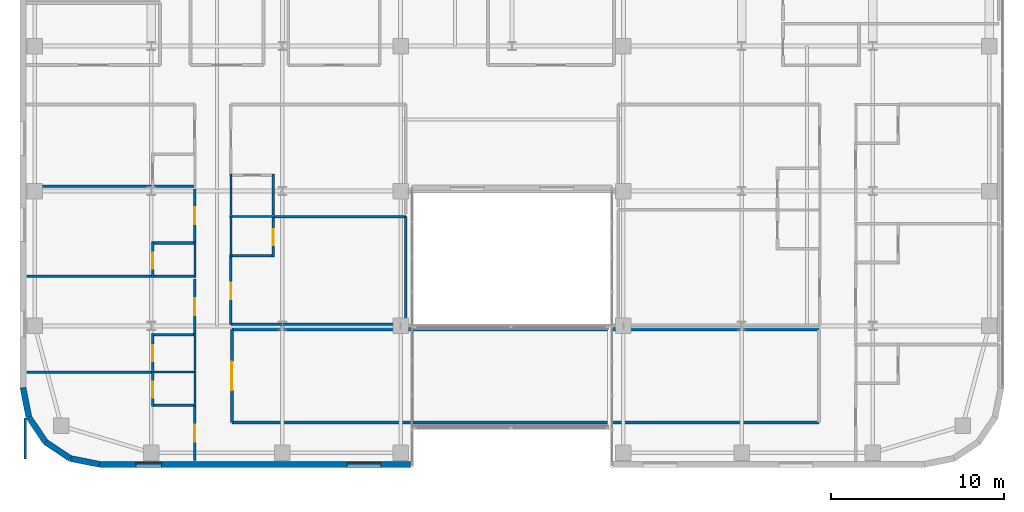
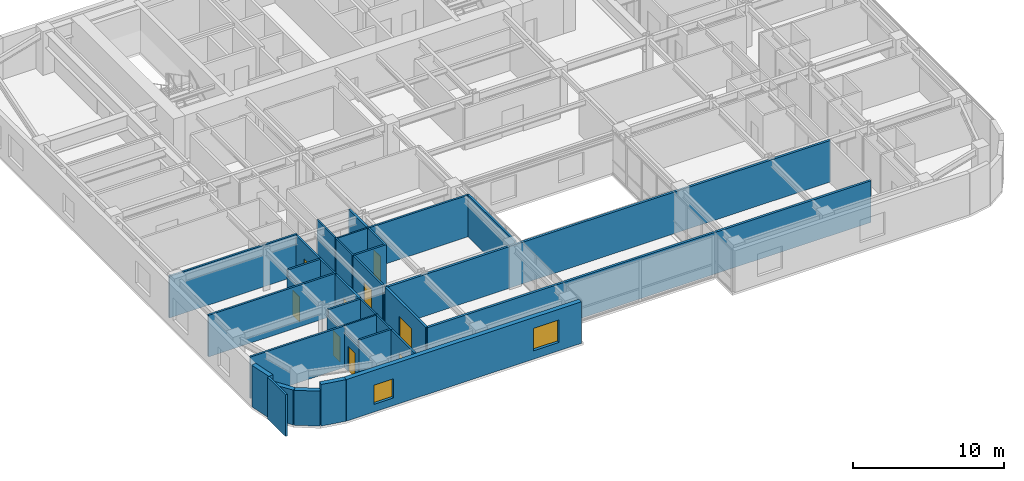
# One storey, part 18 of 25: 35 walls, 9 doors, 2 windows, 11 openings.
"""IFC4 building model written with IfcOpenShell, lengths in metres."""

from ifc_helpers import new_model, si_unit, direction, frame, frame_2d, origin, place, context, subcontext, project, spatial, rectangle, extrude, source, transform, mapped, material, layer, layer_set, type_object, type_shapes, element, fill, save


model = new_model("IFC4")

# Units and contexts
model_context = context("Model", 3, precision=1e-05, world=origin(), true_north=direction((0.0, 1.0)))
body_context = subcontext(model_context, "Body", "Model", "MODEL_VIEW")
ifc_project = project(units=[si_unit("LENGTHUNIT", "METRE"), si_unit("AREAUNIT", "SQUARE_METRE"), si_unit("VOLUMEUNIT", "CUBIC_METRE"), si_unit("PLANEANGLEUNIT", "RADIAN"), si_unit("MASSUNIT", "GRAM", prefix="KILO")], contexts=[model_context])

# Site, building, storey
site_placement = place(None, origin())
site = spatial("IfcSite", under=ifc_project, at=site_placement, CompositionType="ELEMENT")
building_placement = place(site_placement, origin())
building = spatial("IfcBuilding", under=site, at=building_placement, Name="Tolvann Quenvar Hotel", CompositionType="ELEMENT")
storey_placement = place(building_placement, frame((0.0, 0.0, 78.14990234375)))
storey = spatial("IfcBuildingStorey", under=building, at=storey_placement, Name="L19", CompositionType="ELEMENT", Elevation=78.14990234375)

# Walls
ifc_material_1 = material(Name="Kiln-fired red and buff architectural clay brickwork and terracotta masonry", Category="masonry")
ifc_layer_1 = layer(ifc_material_1, 0.35009765625)
ifc_layer_set_1 = layer_set([ifc_layer_1], Name="Kiln-fired red and buff architectural clay brickwork and terracotta masonry")
wall_type_1 = type_object("IfcWallType", Name="WALL_EXT_BRICK_350", PredefinedType="SOLIDWALL", material=ifc_layer_set_1)
for number, where, z_axis, x_axis, name in (
    (1, (0.514892578125, 2.907958984375, 0.0), (0.0, 0.0, 1.0), (0.55554893791, -0.831483840845, 0.0), "Exterior Chicago Brick Wall L19-E01"),
    (2, (1.473388671875, 1.473388671875, 0.0), (0.0, 0.0, 1.0), (0.831483840845, -0.55554893791, 0.0), "Exterior Chicago Brick Wall L19-E02"),
):
    element("IfcWall", number, at=place(storey_placement, frame(where, z_axis=z_axis, x_axis=x_axis)), inside=storey, type_object=wall_type_1, Name=name, PredefinedType="SOLIDWALL", context=body_context, shape_type="SweptSolid", body=[
        extrude(rectangle(XDim=1.725341796875, YDim=0.35009765625, at=frame_2d((0.86279296875, 0.0))), origin(), (0.0, 0.0, 1.0), 2.83203125),
    ])
wall_1_placement = place(storey_placement, frame((2.907958984375, 0.514892578125, 0.0), z_axis=(0.0, 0.0, 1.0), x_axis=(0.980800971659, -0.195011420161, 0.0)))
element("IfcWall", 3, at=wall_1_placement, inside=storey, type_object=wall_type_1, Name="Exterior Chicago Brick Wall L19-E03", PredefinedType="SOLIDWALL", context=body_context, shape_type="SweptSolid", body=[
    extrude(rectangle(XDim=1.74267578125, YDim=0.35009765625, at=frame_2d((0.871337890625, 0.0))), origin(), (0.0, 0.0, 1.0), 3.3701171875),
])

# Wall, openings, windows
wall_2_placement = place(storey_placement, frame((4.6171875, 0.175048828125, 0.0), z_axis=(0.0, 0.0, 1.0), x_axis=(1.0, 0.0, 0.0)))
wall_2 = element("IfcWall", 4, at=wall_2_placement, inside=storey, type_object=wall_type_1, Name="Exterior Chicago Brick Wall L19-E04", PredefinedType="SOLIDWALL", context=body_context, shape_type="SweptSolid", body=[
    extrude(rectangle(XDim=18.0078125, YDim=0.35009765625, at=frame_2d((9.00390625, 0.0))), origin(), (0.0, 0.0, 1.0), 3.3701171875),
])
opening_1_placement = place(wall_2_placement, frame((14.33203125, 0.0, 0.679931640625)))
opening_1 = element("IfcOpeningElement", 5, at=opening_1_placement, cuts=wall_2, Name="Opening W-10", PredefinedType="OPENING", context=body_context, shape_type="SweptSolid", body=[
    extrude(rectangle(XDim=1.949951171875, YDim=1.820068359375, at=frame_2d((0.97509765625, 0.91015625))), frame((0.0, 0.18505859375, 0.0), z_axis=(0.0, -1.0, 0.0), x_axis=(1.0, 0.0, 0.0)), (0.0, 0.0, 1.0), 0.3701171875),
])
opening_2_placement = place(wall_2_placement, frame((2.091064453125, 0.0, 0.6201171875)))
opening_2 = element("IfcOpeningElement", 6, at=opening_2_placement, cuts=wall_2, Name="Opening W-08", PredefinedType="OPENING", context=body_context, shape_type="SweptSolid", body=[
    extrude(rectangle(XDim=1.5, YDim=1.550048828125, at=frame_2d((0.75, 0.77490234375))), frame((0.0, 0.18505859375, 0.0), z_axis=(0.0, -1.0, 0.0), x_axis=(1.0, 0.0, 0.0)), (0.0, 0.0, 1.0), 0.3701171875),
])
ifc_material_2 = material(Name="Thermally broken bronze-anodised aluminium frame with double low-E glazing", Category="aluminium")
window_type_1 = type_object("IfcWindowType", Name="WIN_COR_1500x2050", PartitioningType="SINGLE_PANEL", PredefinedType="WINDOW", material=ifc_material_2)
shared_shape_1 = source(origin(), body_context, "Body", "SweptSolid", [
    extrude(rectangle(XDim=1.5, YDim=1.550048828125, at=frame_2d((0.75, 0.77490234375))), frame((0.0, 0.090087890625, 0.0), z_axis=(0.0, -1.0, 0.0), x_axis=(1.0, 0.0, 0.0)), (0.0, 0.0, 1.0), 0.06005859375),
])
type_shapes(window_type_1, [shared_shape_1])
window_1_placement = place(opening_2_placement, origin())
window_1 = element("IfcWindow", 7, at=window_1_placement, inside=storey, type_object=window_type_1, Name="Chicago Window W-08 (EW-L19-E04-WD02)", OverallHeight=1.550048828125, OverallWidth=1.5, PartitioningType="SINGLE_PANEL", PredefinedType="WINDOW", context=body_context, shape_type="MappedRepresentation", body=[
    mapped(shared_shape_1, transform((0.0, 0.0, 0.0), x_axis=(1.0, 0.0, 0.0), y_axis=(0.0, 1.0, 0.0), z_axis=(0.0, 0.0, 1.0), scale=1.0)),
])
fill(opening_2, window_1)
window_type_2 = type_object("IfcWindowType", Name="WIN_CLB_1950x1850", PartitioningType="DOUBLE_PANEL_VERTICAL", PredefinedType="WINDOW", material=ifc_material_2)
shared_shape_2 = source(origin(), body_context, "Body", "SweptSolid", [
    extrude(rectangle(XDim=1.949951171875, YDim=1.820068359375, at=frame_2d((0.97509765625, 0.91015625))), frame((0.0, 0.090087890625, 0.0), z_axis=(0.0, -1.0, 0.0), x_axis=(1.0, 0.0, 0.0)), (0.0, 0.0, 1.0), 0.06005859375),
])
type_shapes(window_type_2, [shared_shape_2])
window_2_placement = place(opening_1_placement, origin())
window_2 = element("IfcWindow", 8, at=window_2_placement, inside=storey, type_object=window_type_2, Name="Chicago Window W-10 (EW-L19-E04-W01)", OverallHeight=1.820068359375, OverallWidth=1.949951171875, PartitioningType="DOUBLE_PANEL_VERTICAL", PredefinedType="WINDOW", context=body_context, shape_type="MappedRepresentation", body=[
    mapped(shared_shape_2, transform((0.0, 0.0, 0.0), x_axis=(1.0, 0.0, 0.0), y_axis=(0.0, 1.0, 0.0), z_axis=(0.0, 0.0, 1.0), scale=1.0)),
])
fill(opening_1, window_2)

# Walls
wall_3_placement = place(storey_placement, frame((0.175048828125, 4.6171875, 0.0), z_axis=(0.0, 0.0, 1.0), x_axis=(0.195011420161, -0.980800971659, 0.0)))
element("IfcWall", 9, at=wall_3_placement, inside=storey, type_object=wall_type_1, Name="Exterior Chicago Brick Wall L19-E24", PredefinedType="SOLIDWALL", context=body_context, shape_type="SweptSolid", body=[
    extrude(rectangle(XDim=1.74267578125, YDim=0.35009765625, at=frame_2d((0.871337890625, 0.0))), origin(), (0.0, 0.0, 1.0), 3.3701171875),
])
ifc_material_3 = material(Name="Acoustic twin-stud fire-rated gypsum plasterboard partition")
ifc_layer_2 = layer(ifc_material_3, 0.179931640625)
ifc_layer_set_2 = layer_set([ifc_layer_2], Name="Acoustic twin-stud fire-rated gypsum plasterboard partition")
wall_type_2 = type_object("IfcWallType", Name="WALL_PART_ACOUSTIC_180", PredefinedType="PARTITIONING", material=ifc_layer_set_2)
for number, where, z_axis, x_axis, name in (
    (10, (12.27001953125, 2.60009765625, 0.0), (0.0, 0.0, 1.0), (1.0, 0.0, 0.0), "Interior Partition PT-SPC-L19-BRG-S"),
    (11, (12.27001953125, 8.0, 0.0), (0.0, 0.0, 1.0), (1.0, 0.0, 0.0), "Interior Partition PT-SPC-L19-BRG-N"),
):
    element("IfcWall", number, at=place(storey_placement, frame(where, z_axis=z_axis, x_axis=x_axis)), inside=storey, type_object=wall_type_2, Name=name, PredefinedType="PARTITIONING", context=body_context, shape_type="SweptSolid", body=[
        extrude(rectangle(XDim=34.010009765625, YDim=0.179931640625, at=frame_2d((17.0048828125, 0.0))), origin(), (0.0, 0.0, 1.0), 3.3701171875),
    ])

# Wall, opening, door
wall_4_placement = place(storey_placement, frame((12.27001953125, 2.60009765625, 0.0), z_axis=(0.0, 0.0, 1.0), x_axis=(0.0, 1.0, 0.0)))
wall_4 = element("IfcWall", 12, at=wall_4_placement, inside=storey, type_object=wall_type_2, Name="Interior Partition PT-SPC-L19-BRG-W", PredefinedType="PARTITIONING", context=body_context, shape_type="SweptSolid", body=[
    extrude(rectangle(XDim=5.39990234375, YDim=0.179931640625, at=frame_2d((2.699951171875, 0.0))), origin(), (0.0, 0.0, 1.0), 3.3701171875),
])
opening_3_placement = place(wall_4_placement, frame((1.875, 0.0, 0.0)))
opening_3 = element("IfcOpeningElement", 13, at=opening_3_placement, cuts=wall_4, Name="Opening AD-01", PredefinedType="OPENING", context=body_context, shape_type="SweptSolid", body=[
    extrude(rectangle(XDim=1.64990234375, YDim=2.14990234375, at=frame_2d((0.824951171875, 1.074951171875))), frame((0.0, 0.10009765625, 0.0), z_axis=(0.0, -1.0, 0.0), x_axis=(1.0, 0.0, 0.0)), (0.0, 0.0, 1.0), 0.199951171875),
])
ifc_material_4 = material(Name="Solid-core American oak acoustic fire door leaf in steel frame", Category="steel")
door_type_1 = type_object("IfcDoorType", Name="DOOR_SALON_1650", OperationType="NOTDEFINED", PredefinedType="DOOR", material=ifc_material_4)
shared_shape_3 = source(origin(), body_context, "Body", "SweptSolid", [
    extrude(rectangle(XDim=1.64990234375, YDim=2.14990234375, at=frame_2d((0.824951171875, 1.074951171875))), frame((0.0, 0.02490234375, 0.0), z_axis=(0.0, -1.0, 0.0), x_axis=(1.0, 0.0, 0.0)), (0.0, 0.0, 1.0), 0.050048828125),
])
type_shapes(door_type_1, [shared_shape_3])
door_1_placement = place(opening_3_placement, origin())
door_1 = element("IfcDoor", 14, at=door_1_placement, inside=storey, type_object=door_type_1, Name="Interior Door DOOR-SPC-L19-BRG", OperationType="DOUBLE_DOOR_SINGLE_SWING", OverallHeight=2.14990234375, OverallWidth=1.64990234375, PredefinedType="DOOR", context=body_context, shape_type="MappedRepresentation", body=[
    mapped(shared_shape_3, transform((0.0, 0.0, 0.0), x_axis=(1.0, 0.0, 0.0), y_axis=(0.0, 1.0, 0.0), z_axis=(0.0, 0.0, 1.0), scale=1.0)),
])
fill(opening_3, door_1)

# Walls
ifc_material_5 = material(Name="Moisture-resistant acoustic plumbing wall assembly")
ifc_layer_3 = layer(ifc_material_5, 0.1201171875)
ifc_layer_set_3 = layer_set([ifc_layer_3], Name="Moisture-resistant acoustic plumbing wall assembly")
wall_type_3 = type_object("IfcWallType", Name="WALL_PART_BATH_120", PredefinedType="PLUMBINGWALL", material=ifc_layer_set_3)
wall_5_placement = place(storey_placement, frame((7.610107421875, 5.52001953125, 0.0), z_axis=(0.0, 0.0, 1.0), x_axis=(1.0, 0.0, 0.0)))
element("IfcWall", 15, at=wall_5_placement, inside=storey, type_object=wall_type_3, Name="Non-Rated Plumbing Partition PT-SPC-L19-ENS-WO01-N", PredefinedType="PLUMBINGWALL", context=body_context, shape_type="SweptSolid", body=[
    extrude(rectangle(XDim=2.58984375, YDim=0.1201171875, at=frame_2d((1.294921875, 0.0))), origin(), (0.0, 0.0, 1.0), 3.3701171875),
])
wall_6_placement = place(storey_placement, frame((10.1298828125, 3.534912109375, 0.0), z_axis=(0.0, 0.0, 1.0), x_axis=(0.0, 1.0, 0.0)))
element("IfcWall", 16, at=wall_6_placement, inside=storey, type_object=wall_type_3, Name="Non-Rated Plumbing Partition PT-SPC-L19-ENS-WO01-E", PredefinedType="PLUMBINGWALL", context=body_context, shape_type="SweptSolid", body=[
    extrude(rectangle(XDim=2.05517578125, YDim=0.1201171875, at=frame_2d((1.027587890625, 0.0))), origin(), (0.0, 0.0, 1.0), 3.3701171875),
])
wall_7_placement = place(storey_placement, frame((10.1298828125, 5.610107421875, 0.0), z_axis=(0.0, 0.0, 1.0), x_axis=(0.0, 1.0, 0.0)))
element("IfcWall", 17, at=wall_7_placement, inside=storey, type_object=wall_type_3, Name="Non-Rated Plumbing Partition PT-SPC-L19-ENS-WO02-E", PredefinedType="PLUMBINGWALL", context=body_context, shape_type="SweptSolid", body=[
    extrude(rectangle(XDim=2.130859375, YDim=0.1201171875, at=frame_2d((1.0654296875, 0.0))), origin(), (0.0, 0.0, 1.0), 3.3701171875),
])
wall_8_placement = place(storey_placement, frame((10.1298828125, 11.010009765625, 0.0), z_axis=(0.0, 0.0, 1.0), x_axis=(0.0, 1.0, 0.0)))
element("IfcWall", 18, at=wall_8_placement, inside=storey, type_object=wall_type_3, Name="Non-Rated Plumbing Partition PT-SPC-L19-ENS-WO03-E", PredefinedType="PLUMBINGWALL", context=body_context, shape_type="SweptSolid", body=[
    extrude(rectangle(XDim=2.054931640625, YDim=0.1201171875, at=frame_2d((1.02734375, 0.0))), origin(), (0.0, 0.0, 1.0), 3.3701171875),
])
wall_9_placement = place(storey_placement, frame((12.14990234375, 14.52001953125, 0.0), z_axis=(0.0, 0.0, 1.0), x_axis=(1.0, 0.0, 0.0)))
element("IfcWall", 19, at=wall_9_placement, inside=storey, type_object=wall_type_3, Name="Non-Rated Plumbing Partition PT-SPC-L19-ENS-WI01-N", PredefinedType="PLUMBINGWALL", context=body_context, shape_type="SweptSolid", body=[
    extrude(rectangle(XDim=2.590087890625, YDim=0.1201171875, at=frame_2d((1.294921875, 0.0))), origin(), (0.0, 0.0, 1.0), 3.3701171875),
])
wall_10_placement = place(storey_placement, frame((12.219970703125, 12.199951171875, 0.0), z_axis=(0.0, 0.0, 1.0), x_axis=(0.0, 1.0, 0.0)))
element("IfcWall", 20, at=wall_10_placement, inside=storey, type_object=wall_type_3, Name="Non-Rated Plumbing Partition PT-SPC-L19-ENS-WI01-W", PredefinedType="PLUMBINGWALL", context=body_context, shape_type="SweptSolid", body=[
    extrude(rectangle(XDim=2.39013671875, YDim=0.1201171875, at=frame_2d((1.195068359375, 0.0))), origin(), (0.0, 0.0, 1.0), 3.3701171875),
])
wall_11_placement = place(storey_placement, frame((12.219970703125, 14.610107421875, 0.0), z_axis=(0.0, 0.0, 1.0), x_axis=(0.0, 1.0, 0.0)))
element("IfcWall", 21, at=wall_11_placement, inside=storey, type_object=wall_type_3, Name="Non-Rated Plumbing Partition PT-SPC-L19-ENS-WI02-W", PredefinedType="PLUMBINGWALL", context=body_context, shape_type="SweptSolid", body=[
    extrude(rectangle(XDim=2.389892578125, YDim=0.1201171875, at=frame_2d((1.19482421875, 0.0))), origin(), (0.0, 0.0, 1.0), 3.3701171875),
])

# Wall, opening, door
ifc_layer_4 = layer(ifc_material_3, 0.14990234375)
ifc_layer_set_4 = layer_set([ifc_layer_4], Name="Acoustic twin-stud fire-rated gypsum plasterboard partition")
wall_type_4 = type_object("IfcWallType", Name="WALL_PART_SUITE_150", PredefinedType="PARTITIONING", material=ifc_layer_set_4)
wall_12_placement = place(storey_placement, frame((7.679931640625, 3.534912109375, 0.0), z_axis=(0.0, 0.0, 1.0), x_axis=(0.0, 1.0, 0.0)))
wall_12 = element("IfcWall", 22, at=wall_12_placement, inside=storey, type_object=wall_type_4, Name="Interior Partition PT-SPC-L19-ENS-WO01-ENT", PredefinedType="PARTITIONING", context=body_context, shape_type="SweptSolid", body=[
    extrude(rectangle(XDim=2.05517578125, YDim=0.14990234375, at=frame_2d((1.027587890625, 0.0))), origin(), (0.0, 0.0, 1.0), 2.8271484375),
])
opening_4_placement = place(wall_12_placement, frame((0.49755859375, 0.0, 0.0)))
opening_4 = element("IfcOpeningElement", 23, at=opening_4_placement, cuts=wall_12, Name="Opening WD-01", PredefinedType="OPENING", context=body_context, shape_type="SweptSolid", body=[
    extrude(rectangle(XDim=0.919921875, YDim=2.010009765625, at=frame_2d((0.4599609375, 1.0048828125))), frame((0.0, 0.0849609375, 0.0), z_axis=(0.0, -1.0, 0.0), x_axis=(1.0, 0.0, 0.0)), (0.0, 0.0, 1.0), 0.169921875),
])
door_type_2 = type_object("IfcDoorType", Name="DOOR_WC_920", OperationType="NOTDEFINED", PredefinedType="DOOR", material=ifc_material_4)
shared_shape_4 = source(origin(), body_context, "Body", "SweptSolid", [
    extrude(rectangle(XDim=0.919921875, YDim=2.010009765625, at=frame_2d((0.4599609375, 1.0048828125))), frame((0.0, 0.02490234375, 0.0), z_axis=(0.0, -1.0, 0.0), x_axis=(1.0, 0.0, 0.0)), (0.0, 0.0, 1.0), 0.050048828125),
])
type_shapes(door_type_2, [shared_shape_4])
door_2_placement = place(opening_4_placement, origin())
door_2 = element("IfcDoor", 24, at=door_2_placement, inside=storey, type_object=door_type_2, Name="Interior Door DOOR-SPC-L19-ENS-WO01", OperationType="SINGLE_SWING_RIGHT", OverallHeight=2.010009765625, OverallWidth=0.919921875, PredefinedType="DOOR", context=body_context, shape_type="MappedRepresentation", body=[
    mapped(shared_shape_4, transform((0.0, 0.0, 0.0), x_axis=(1.0, 0.0, 0.0), y_axis=(0.0, 1.0, 0.0), z_axis=(0.0, 0.0, 1.0), scale=1.0)),
])
fill(opening_4, door_2)

# Wall
wall_13_placement = place(storey_placement, frame((7.610107421875, 3.60498046875, 0.0), z_axis=(0.0, 0.0, 1.0), x_axis=(1.0, 0.0, 0.0)))
element("IfcWall", 25, at=wall_13_placement, inside=storey, type_object=wall_type_4, Name="Interior Partition PT-SPC-L19-ENS-WO01-S", PredefinedType="PARTITIONING", context=body_context, shape_type="SweptSolid", body=[
    extrude(rectangle(XDim=2.58984375, YDim=0.14990234375, at=frame_2d((1.294921875, 0.0))), origin(), (0.0, 0.0, 1.0), 3.3701171875),
])

# Wall, opening, door
wall_14_placement = place(storey_placement, frame((7.679931640625, 5.610107421875, 0.0), z_axis=(0.0, 0.0, 1.0), x_axis=(0.0, 1.0, 0.0)))
wall_14 = element("IfcWall", 26, at=wall_14_placement, inside=storey, type_object=wall_type_4, Name="Interior Partition PT-SPC-L19-ENS-WO02-ENT", PredefinedType="PARTITIONING", context=body_context, shape_type="SweptSolid", body=[
    extrude(rectangle(XDim=2.130859375, YDim=0.14990234375, at=frame_2d((1.0654296875, 0.0))), origin(), (0.0, 0.0, 1.0), 2.8271484375),
])
opening_5_placement = place(wall_14_placement, frame((0.535400390625, 0.0, 0.0)))
opening_5 = element("IfcOpeningElement", 27, at=opening_5_placement, cuts=wall_14, Name="Opening WD-01", PredefinedType="OPENING", context=body_context, shape_type="SweptSolid", body=[
    extrude(rectangle(XDim=0.919921875, YDim=2.010009765625, at=frame_2d((0.4599609375, 1.0048828125))), frame((0.0, 0.0849609375, 0.0), z_axis=(0.0, -1.0, 0.0), x_axis=(1.0, 0.0, 0.0)), (0.0, 0.0, 1.0), 0.169921875),
])
door_3_placement = place(opening_5_placement, origin())
door_3 = element("IfcDoor", 28, at=door_3_placement, inside=storey, type_object=door_type_2, Name="Interior Door DOOR-SPC-L19-ENS-WO02", OperationType="SINGLE_SWING_LEFT", OverallHeight=2.010009765625, OverallWidth=0.919921875, PredefinedType="DOOR", context=body_context, shape_type="MappedRepresentation", body=[
    mapped(shared_shape_4, transform((0.0, 0.0, 0.0), x_axis=(1.0, 0.0, 0.0), y_axis=(0.0, 1.0, 0.0), z_axis=(0.0, 0.0, 1.0), scale=1.0)),
])
fill(opening_5, door_3)

# Wall
wall_15_placement = place(storey_placement, frame((7.610107421875, 7.6708984375, 0.0), z_axis=(0.0, 0.0, 1.0), x_axis=(1.0, 0.0, 0.0)))
element("IfcWall", 29, at=wall_15_placement, inside=storey, type_object=wall_type_4, Name="Interior Partition PT-SPC-L19-ENS-WO02-N", PredefinedType="PARTITIONING", context=body_context, shape_type="SweptSolid", body=[
    extrude(rectangle(XDim=2.58984375, YDim=0.14990234375, at=frame_2d((1.294921875, 0.0))), origin(), (0.0, 0.0, 1.0), 3.3701171875),
])

# Wall, opening, door
wall_16_placement = place(storey_placement, frame((7.679931640625, 11.010009765625, 0.0), z_axis=(0.0, 0.0, 1.0), x_axis=(0.0, 1.0, 0.0)))
wall_16 = element("IfcWall", 30, at=wall_16_placement, inside=storey, type_object=wall_type_4, Name="Interior Partition PT-SPC-L19-ENS-WO03-ENT", PredefinedType="PARTITIONING", context=body_context, shape_type="SweptSolid", body=[
    extrude(rectangle(XDim=2.054931640625, YDim=0.14990234375, at=frame_2d((1.02734375, 0.0))), origin(), (0.0, 0.0, 1.0), 2.8271484375),
])
opening_6_placement = place(wall_16_placement, frame((0.49755859375, 0.0, 0.0)))
opening_6 = element("IfcOpeningElement", 31, at=opening_6_placement, cuts=wall_16, Name="Opening WD-01", PredefinedType="OPENING", context=body_context, shape_type="SweptSolid", body=[
    extrude(rectangle(XDim=0.919921875, YDim=2.010009765625, at=frame_2d((0.4599609375, 1.0048828125))), frame((0.0, 0.0849609375, 0.0), z_axis=(0.0, -1.0, 0.0), x_axis=(1.0, 0.0, 0.0)), (0.0, 0.0, 1.0), 0.169921875),
])
door_4_placement = place(opening_6_placement, origin())
door_4 = element("IfcDoor", 32, at=door_4_placement, inside=storey, type_object=door_type_2, Name="Interior Door DOOR-SPC-L19-ENS-WO03", OperationType="SINGLE_SWING_RIGHT", OverallHeight=2.010009765625, OverallWidth=0.919921875, PredefinedType="DOOR", context=body_context, shape_type="MappedRepresentation", body=[
    mapped(shared_shape_4, transform((0.0, 0.0, 0.0), x_axis=(1.0, 0.0, 0.0), y_axis=(0.0, 1.0, 0.0), z_axis=(0.0, 0.0, 1.0), scale=1.0)),
])
fill(opening_6, door_4)

# Walls
wall_17_placement = place(storey_placement, frame((0.405029296875, 11.080078125, 0.0), z_axis=(0.0, 0.0, 1.0), x_axis=(1.0, 0.0, 0.0)))
element("IfcWall", 33, at=wall_17_placement, inside=storey, type_object=wall_type_4, Name="Interior Partition PT-SPC-L19-ENS-WO03-S", PredefinedType="PARTITIONING", context=body_context, shape_type="SweptSolid", body=[
    extrude(rectangle(XDim=9.794921875, YDim=0.14990234375, at=frame_2d((4.8974609375, 0.0))), origin(), (0.0, 0.0, 1.0), 3.3701171875),
])
wall_18_placement = place(storey_placement, frame((7.610107421875, 12.9951171875, 0.0), z_axis=(0.0, 0.0, 1.0), x_axis=(1.0, 0.0, 0.0)))
element("IfcWall", 34, at=wall_18_placement, inside=storey, type_object=wall_type_4, Name="Interior Partition PT-SPC-L19-ENS-WO03-N", PredefinedType="PARTITIONING", context=body_context, shape_type="SweptSolid", body=[
    extrude(rectangle(XDim=2.58984375, YDim=0.14990234375, at=frame_2d((1.294921875, 0.0))), origin(), (0.0, 0.0, 1.0), 3.3701171875),
])
wall_19_placement = place(storey_placement, frame((0.405029296875, 16.280029296875, 0.0), z_axis=(0.0, 0.0, 1.0), x_axis=(1.0, 0.0, 0.0)))
element("IfcWall", 35, at=wall_19_placement, inside=storey, type_object=wall_type_4, Name="Interior Partition PT-SPC-L19-ENS-WO04-S", PredefinedType="PARTITIONING", context=body_context, shape_type="SweptSolid", body=[
    extrude(rectangle(XDim=9.794921875, YDim=0.14990234375, at=frame_2d((4.8974609375, 0.0))), origin(), (0.0, 0.0, 1.0), 3.3701171875),
])

# Wall, opening, door
wall_20_placement = place(storey_placement, frame((14.669921875, 12.199951171875, 0.0), z_axis=(0.0, 0.0, 1.0), x_axis=(0.0, 1.0, 0.0)))
wall_20 = element("IfcWall", 36, at=wall_20_placement, inside=storey, type_object=wall_type_4, Name="Interior Partition PT-SPC-L19-ENS-WI01-ENT", PredefinedType="PARTITIONING", context=body_context, shape_type="SweptSolid", body=[
    extrude(rectangle(XDim=2.39013671875, YDim=0.14990234375, at=frame_2d((1.195068359375, 0.0))), origin(), (0.0, 0.0, 1.0), 3.3701171875),
])
opening_7_placement = place(wall_20_placement, frame((0.6650390625, 0.0, 0.0)))
opening_7 = element("IfcOpeningElement", 37, at=opening_7_placement, cuts=wall_20, Name="Opening WD-01", PredefinedType="OPENING", context=body_context, shape_type="SweptSolid", body=[
    extrude(rectangle(XDim=0.919921875, YDim=2.010009765625, at=frame_2d((0.4599609375, 1.0048828125))), frame((0.0, 0.0849609375, 0.0), z_axis=(0.0, -1.0, 0.0), x_axis=(1.0, 0.0, 0.0)), (0.0, 0.0, 1.0), 0.169921875),
])
door_5_placement = place(opening_7_placement, origin())
door_5 = element("IfcDoor", 38, at=door_5_placement, inside=storey, type_object=door_type_2, Name="Interior Door DOOR-SPC-L19-ENS-WI01", OperationType="SINGLE_SWING_RIGHT", OverallHeight=2.010009765625, OverallWidth=0.919921875, PredefinedType="DOOR", context=body_context, shape_type="MappedRepresentation", body=[
    mapped(shared_shape_4, transform((0.0, 0.0, 0.0), x_axis=(1.0, 0.0, 0.0), y_axis=(0.0, 1.0, 0.0), z_axis=(0.0, 0.0, 1.0), scale=1.0)),
])
fill(opening_7, door_5)

# Walls
wall_21_placement = place(storey_placement, frame((12.14990234375, 12.27001953125, 0.0), z_axis=(0.0, 0.0, 1.0), x_axis=(1.0, 0.0, 0.0)))
element("IfcWall", 39, at=wall_21_placement, inside=storey, type_object=wall_type_4, Name="Interior Partition PT-SPC-L19-ENS-WI01-S", PredefinedType="PARTITIONING", context=body_context, shape_type="SweptSolid", body=[
    extrude(rectangle(XDim=2.590087890625, YDim=0.14990234375, at=frame_2d((1.294921875, 0.0))), origin(), (0.0, 0.0, 1.0), 3.3701171875),
])
wall_22_placement = place(storey_placement, frame((14.669921875, 14.610107421875, 0.0), z_axis=(0.0, 0.0, 1.0), x_axis=(0.0, 1.0, 0.0)))
element("IfcWall", 40, at=wall_22_placement, inside=storey, type_object=wall_type_4, Name="Interior Partition PT-SPC-L19-ENS-WI02-ENT", PredefinedType="PARTITIONING", context=body_context, shape_type="SweptSolid", body=[
    extrude(rectangle(XDim=2.389892578125, YDim=0.14990234375, at=frame_2d((1.19482421875, 0.0))), origin(), (0.0, 0.0, 1.0), 3.3701171875),
])

# Wall, opening, door
wall_23_placement = place(storey_placement, frame((10.1298828125, 0.405029296875, 0.0), z_axis=(0.0, 0.0, 1.0), x_axis=(0.0, 1.0, 0.0)))
wall_23 = element("IfcWall", 41, at=wall_23_placement, inside=storey, type_object=wall_type_4, Name="Interior Partition PT-SPC-L19-RM-WO01-ENT", PredefinedType="PARTITIONING", context=body_context, shape_type="SweptSolid", body=[
    extrude(rectangle(XDim=3.119873046875, YDim=0.14990234375, at=frame_2d((1.56005859375, 0.0))), origin(), (0.0, 0.0, 1.0), 3.3701171875),
])
opening_8_placement = place(wall_23_placement, frame((1.077392578125, 0.0, 0.0)))
opening_8 = element("IfcOpeningElement", 42, at=opening_8_placement, cuts=wall_23, Name="Opening SD-01", PredefinedType="OPENING", context=body_context, shape_type="SweptSolid", body=[
    extrude(rectangle(XDim=0.97998046875, YDim=2.1201171875, at=frame_2d((0.489990234375, 1.06005859375))), frame((0.0, 0.0849609375, 0.0), z_axis=(0.0, -1.0, 0.0), x_axis=(1.0, 0.0, 0.0)), (0.0, 0.0, 1.0), 0.169921875),
])
door_type_3 = type_object("IfcDoorType", Name="DOOR_SUITE_980", OperationType="NOTDEFINED", PredefinedType="DOOR", material=ifc_material_4)
shared_shape_5 = source(origin(), body_context, "Body", "SweptSolid", [
    extrude(rectangle(XDim=0.97998046875, YDim=2.1201171875, at=frame_2d((0.489990234375, 1.06005859375))), frame((0.0, 0.02490234375, 0.0), z_axis=(0.0, -1.0, 0.0), x_axis=(1.0, 0.0, 0.0)), (0.0, 0.0, 1.0), 0.050048828125),
])
type_shapes(door_type_3, [shared_shape_5])
door_6_placement = place(opening_8_placement, origin())
door_6 = element("IfcDoor", 43, at=door_6_placement, inside=storey, type_object=door_type_3, Name="Interior Door DOOR-SPC-L19-RM-WO01", OperationType="SINGLE_SWING_RIGHT", OverallHeight=2.1201171875, OverallWidth=0.97998046875, PredefinedType="DOOR", context=body_context, shape_type="MappedRepresentation", body=[
    mapped(shared_shape_5, transform((0.0, 0.0, 0.0), x_axis=(1.0, 0.0, 0.0), y_axis=(0.0, 1.0, 0.0), z_axis=(0.0, 0.0, 1.0), scale=1.0)),
])
fill(opening_8, door_6)

# Walls
wall_24_placement = place(storey_placement, frame((0.405029296875, 5.52001953125, 0.0), z_axis=(0.0, 0.0, 1.0), x_axis=(1.0, 0.0, 0.0)))
element("IfcWall", 44, at=wall_24_placement, inside=storey, type_object=wall_type_4, Name="Interior Partition PT-SPC-L19-RM-WO01-E5", PredefinedType="PARTITIONING", context=body_context, shape_type="SweptSolid", body=[
    extrude(rectangle(XDim=7.2548828125, YDim=0.14990234375, at=frame_2d((3.62744140625, 0.0))), origin(), (0.0, 0.0, 1.0), 3.3701171875),
])
wall_25_placement = place(storey_placement, frame((0.300048828125, 0.47998046875, 0.0), z_axis=(0.0, 0.0, 1.0), x_axis=(0.0, 1.0, 0.0)))
element("IfcWall", 45, at=wall_25_placement, inside=storey, type_object=wall_type_4, Name="Interior Partition PT-SPC-L19-RM-WO01-E6", PredefinedType="PARTITIONING", context=body_context, shape_type="SweptSolid", body=[
    extrude(rectangle(XDim=2.385009765625, YDim=0.14990234375, at=frame_2d((1.1923828125, 0.0))), origin(), (0.0, 0.0, 1.0), 3.3701171875),
])

# Wall, opening, door
wall_26_placement = place(storey_placement, frame((10.1298828125, 7.7509765625, 0.0), z_axis=(0.0, 0.0, 1.0), x_axis=(0.0, 1.0, 0.0)))
wall_26 = element("IfcWall", 46, at=wall_26_placement, inside=storey, type_object=wall_type_4, Name="Interior Partition PT-SPC-L19-RM-WO02-ENT", PredefinedType="PARTITIONING", context=body_context, shape_type="SweptSolid", body=[
    extrude(rectangle(XDim=3.1689453125, YDim=0.14990234375, at=frame_2d((1.58447265625, 0.0))), origin(), (0.0, 0.0, 1.0), 3.3701171875),
])
opening_9_placement = place(wall_26_placement, frame((1.074462890625, 0.0, 0.0)))
opening_9 = element("IfcOpeningElement", 47, at=opening_9_placement, cuts=wall_26, Name="Opening SD-01", PredefinedType="OPENING", context=body_context, shape_type="SweptSolid", body=[
    extrude(rectangle(XDim=0.97998046875, YDim=2.1201171875, at=frame_2d((0.489990234375, 1.06005859375))), frame((0.0, 0.0849609375, 0.0), z_axis=(0.0, -1.0, 0.0), x_axis=(1.0, 0.0, 0.0)), (0.0, 0.0, 1.0), 0.169921875),
])
door_7_placement = place(opening_9_placement, origin())
door_7 = element("IfcDoor", 48, at=door_7_placement, inside=storey, type_object=door_type_3, Name="Interior Door DOOR-SPC-L19-RM-WO02", OperationType="SINGLE_SWING_LEFT", OverallHeight=2.1201171875, OverallWidth=0.97998046875, PredefinedType="DOOR", context=body_context, shape_type="MappedRepresentation", body=[
    mapped(shared_shape_5, transform((0.0, 0.0, 0.0), x_axis=(1.0, 0.0, 0.0), y_axis=(0.0, 1.0, 0.0), z_axis=(0.0, 0.0, 1.0), scale=1.0)),
])
fill(opening_9, door_7)

wall_27_placement = place(storey_placement, frame((10.1298828125, 13.074951171875, 0.0), z_axis=(0.0, 0.0, 1.0), x_axis=(0.0, 1.0, 0.0)))
wall_27 = element("IfcWall", 49, at=wall_27_placement, inside=storey, type_object=wall_type_4, Name="Interior Partition PT-SPC-L19-RM-WO03-ENT", PredefinedType="PARTITIONING", context=body_context, shape_type="SweptSolid", body=[
    extrude(rectangle(XDim=3.045166015625, YDim=0.14990234375, at=frame_2d((1.5224609375, 0.0))), origin(), (0.0, 0.0, 1.0), 3.3701171875),
])
opening_10_placement = place(wall_27_placement, frame((1.012451171875, 0.0, 0.0)))
opening_10 = element("IfcOpeningElement", 50, at=opening_10_placement, cuts=wall_27, Name="Opening SD-01", PredefinedType="OPENING", context=body_context, shape_type="SweptSolid", body=[
    extrude(rectangle(XDim=0.97998046875, YDim=2.1201171875, at=frame_2d((0.489990234375, 1.06005859375))), frame((0.0, 0.0849609375, 0.0), z_axis=(0.0, -1.0, 0.0), x_axis=(1.0, 0.0, 0.0)), (0.0, 0.0, 1.0), 0.169921875),
])
door_8_placement = place(opening_10_placement, origin())
door_8 = element("IfcDoor", 51, at=door_8_placement, inside=storey, type_object=door_type_3, Name="Interior Door DOOR-SPC-L19-RM-WO03", OperationType="SINGLE_SWING_RIGHT", OverallHeight=2.1201171875, OverallWidth=0.97998046875, PredefinedType="DOOR", context=body_context, shape_type="MappedRepresentation", body=[
    mapped(shared_shape_5, transform((0.0, 0.0, 0.0), x_axis=(1.0, 0.0, 0.0), y_axis=(0.0, 1.0, 0.0), z_axis=(0.0, 0.0, 1.0), scale=1.0)),
])
fill(opening_10, door_8)

wall_28_placement = place(storey_placement, frame((12.219970703125, 8.280029296875, 0.0), z_axis=(0.0, 0.0, 1.0), x_axis=(0.0, 1.0, 0.0)))
wall_28 = element("IfcWall", 52, at=wall_28_placement, inside=storey, type_object=wall_type_4, Name="Interior Partition PT-SPC-L19-RM-WI01-ENT", PredefinedType="PARTITIONING", context=body_context, shape_type="SweptSolid", body=[
    extrude(rectangle(XDim=3.909912109375, YDim=0.14990234375, at=frame_2d((1.955078125, 0.0))), origin(), (0.0, 0.0, 1.0), 3.3701171875),
])
opening_11_placement = place(wall_28_placement, frame((1.445068359375, 0.0, 0.0)))
opening_11 = element("IfcOpeningElement", 53, at=opening_11_placement, cuts=wall_28, Name="Opening SD-01", PredefinedType="OPENING", context=body_context, shape_type="SweptSolid", body=[
    extrude(rectangle(XDim=0.97998046875, YDim=2.1201171875, at=frame_2d((0.489990234375, 1.06005859375))), frame((0.0, 0.0849609375, 0.0), z_axis=(0.0, -1.0, 0.0), x_axis=(1.0, 0.0, 0.0)), (0.0, 0.0, 1.0), 0.169921875),
])
door_9_placement = place(opening_11_placement, origin())
door_9 = element("IfcDoor", 54, at=door_9_placement, inside=storey, type_object=door_type_3, Name="Interior Door DOOR-SPC-L19-RM-WI01", OperationType="SINGLE_SWING_RIGHT", OverallHeight=2.1201171875, OverallWidth=0.97998046875, PredefinedType="DOOR", context=body_context, shape_type="MappedRepresentation", body=[
    mapped(shared_shape_5, transform((0.0, 0.0, 0.0), x_axis=(1.0, 0.0, 0.0), y_axis=(0.0, 1.0, 0.0), z_axis=(0.0, 0.0, 1.0), scale=1.0)),
])
fill(opening_11, door_9)

# Walls
wall_29_placement = place(storey_placement, frame((12.219970703125, 8.280029296875, 0.0), z_axis=(0.0, 0.0, 1.0), x_axis=(1.0, 0.0, 0.0)))
element("IfcWall", 55, at=wall_29_placement, inside=storey, type_object=wall_type_4, Name="Interior Partition PT-SPC-L19-RM-WI01-E1", PredefinedType="PARTITIONING", context=body_context, shape_type="SweptSolid", body=[
    extrude(rectangle(XDim=10.130126953125, YDim=0.14990234375, at=frame_2d((5.06494140625, 0.0))), origin(), (0.0, 0.0, 1.0), 2.748046875),
])
wall_30_placement = place(storey_placement, frame((22.35009765625, 8.280029296875, 0.0), z_axis=(0.0, 0.0, 1.0), x_axis=(0.0, 1.0, 0.0)))
element("IfcWall", 56, at=wall_30_placement, inside=storey, type_object=wall_type_4, Name="Interior Partition PT-SPC-L19-RM-WI01-E2", PredefinedType="PARTITIONING", context=body_context, shape_type="SweptSolid", body=[
    extrude(rectangle(XDim=6.239990234375, YDim=0.14990234375, at=frame_2d((3.1201171875, 0.0))), origin(), (0.0, 0.0, 1.0), 3.3701171875),
])
wall_31_placement = place(storey_placement, frame((14.68994140625, 14.52001953125, 0.0), z_axis=(0.0, 0.0, 1.0), x_axis=(1.0, 0.0, 0.0)))
element("IfcWall", 57, at=wall_31_placement, inside=storey, type_object=wall_type_4, Name="Interior Partition PT-SPC-L19-RM-WI01-E3", PredefinedType="PARTITIONING", context=body_context, shape_type="SweptSolid", body=[
    extrude(rectangle(XDim=7.66015625, YDim=0.14990234375, at=frame_2d((3.830078125, 0.0))), origin(), (0.0, 0.0, 1.0), 3.3701171875),
])

save(model, "model.ifc")
